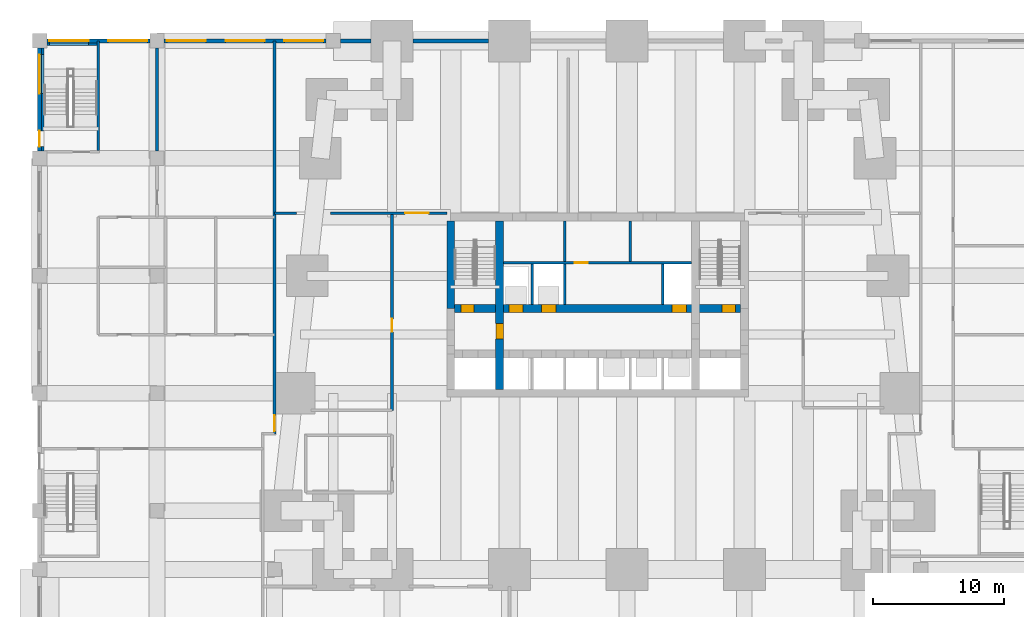
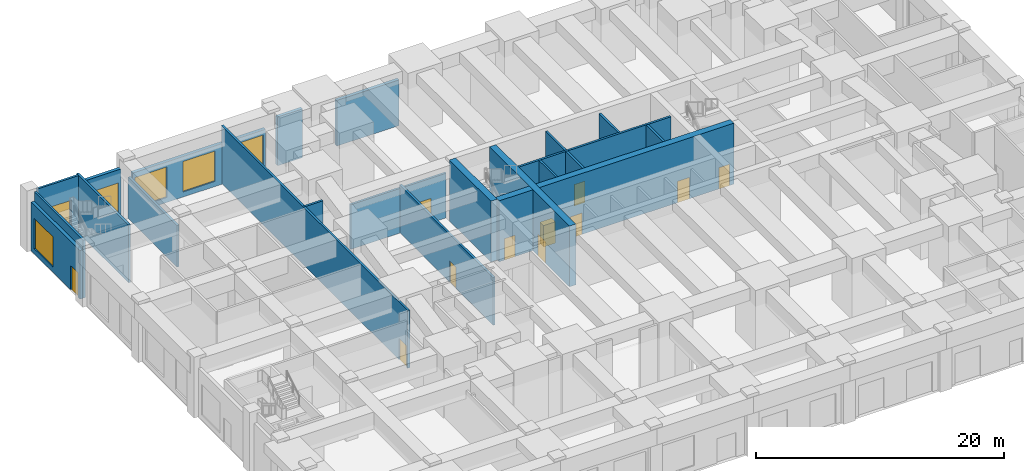
# One storey, part 5 of 13: 22 walls, 11 doors, 6 windows, 20 openings.
"""IFC4 building model written with IfcOpenShell, lengths in metres."""

import ifcopenshell
import ifcopenshell.guid

model = None  # the IFC model being written
_history = None  # IfcOwnerHistory: only IFC2X3 demands one
_inside = {}  # id of a spatial element -> (the spatial element, [elements in it])
_under = {}  # id of a project, library or spatial element -> (it, [spatial elements below it])
_declared = {}  # id of a project -> (the project, [libraries it declares])
_typed = {}  # id of a type object -> (the type object, [elements of that type])
_made_of = {}  # id of a material, layer set ... -> (it, [elements and type objects made of it])


def new_model(schema):
    """Start an empty IFC model of exactly this schema.

    Asked for "IFC4X3", IfcOpenShell would pick the latest addendum, in which some entities
    have other attributes; the version numbers below select the first issue.
    IFC2X3 requires an IfcOwnerHistory on every rooted entity: one is made here for all.
    """
    global model, _history
    if schema == "IFC4X3":
        model = ifcopenshell.file(schema_version=(4, 3, 0, 0))
    else:
        model = ifcopenshell.file(schema=schema)
    _inside.clear()
    _under.clear()
    _declared.clear()
    _typed.clear()
    _made_of.clear()
    _history = None
    if model.schema == "IFC2X3":
        org = make("IfcOrganization", Name="unknown")
        user = make(
            "IfcPersonAndOrganization",
            ThePerson=make("IfcPerson", FamilyName="unknown"),
            TheOrganization=org,
        )
        app = make(
            "IfcApplication",
            ApplicationDeveloper=org,
            Version="unknown",
            ApplicationFullName="unknown",
            ApplicationIdentifier="unknown",
        )
        _history = make(
            "IfcOwnerHistory",
            OwningUser=user,
            OwningApplication=app,
            ChangeAction="ADDED",
            CreationDate=0,
        )
    return model


def make(cls, **values):
    """One entity of the class cls with the attributes given. An attribute that is None is left unset."""
    return model.create_entity(
        cls, **{name: value for name, value in values.items() if value is not None}
    )


def rooted(cls, **values):
    """An entity with a GlobalId (a new one), such as an element, a storey or a relation."""
    return make(cls, GlobalId=ifcopenshell.guid.new(), OwnerHistory=_history, **values)


def si_unit(unit_type, name, prefix=None):
    """IfcSIUnit, for example si_unit("LENGTHUNIT", "METRE", prefix="MILLI")."""
    return make("IfcSIUnit", UnitType=unit_type, Prefix=prefix, Name=name)


def assignment(units):
    """IfcUnitAssignment: the units of a project."""
    return None if units is None else make("IfcUnitAssignment", Units=units)


def point(xyz):
    """IfcCartesianPoint."""
    return None if xyz is None else make("IfcCartesianPoint", Coordinates=xyz)


def direction(xyz):
    """IfcDirection."""
    return None if xyz is None else make("IfcDirection", DirectionRatios=xyz)


def frame(location, z_axis=None, x_axis=None):
    """IfcAxis2Placement3D, a coordinate frame: its origin and axes. An axis left out is left unset."""
    return make(
        "IfcAxis2Placement3D",
        Location=point(location),
        Axis=direction(z_axis),
        RefDirection=direction(x_axis),
    )


def frame_2d(location, x_axis=None):
    """IfcAxis2Placement2D, a coordinate frame in the plane: its origin and x axis."""
    return make(
        "IfcAxis2Placement2D", Location=point(location), RefDirection=direction(x_axis)
    )


def origin():
    """The frame at (0, 0, 0) with its axes left unset."""
    return frame((0.0, 0.0, 0.0))


def place(relative_to, where):
    """IfcLocalPlacement: puts the frame where relative to a parent placement (None: the world)."""
    return make(
        "IfcLocalPlacement", PlacementRelTo=relative_to, RelativePlacement=where
    )


def context(
    kind, dimensions, precision=None, world=None, true_north=None, identifier=None
):
    """IfcGeometricRepresentationContext, for example the 3D "Model" context."""
    return make(
        "IfcGeometricRepresentationContext",
        ContextIdentifier=identifier,
        ContextType=kind,
        CoordinateSpaceDimension=dimensions,
        Precision=precision,
        WorldCoordinateSystem=world,
        TrueNorth=true_north,
    )


def subcontext(parent, identifier, kind, view, scale=None):
    """IfcGeometricRepresentationSubContext, for example "Body" below "Model"."""
    return make(
        "IfcGeometricRepresentationSubContext",
        ContextIdentifier=identifier,
        ContextType=kind,
        ParentContext=parent,
        TargetScale=scale,
        TargetView=view,
    )


def project(units=None, contexts=None):
    """IfcProject with its units and contexts."""
    return rooted(
        "IfcProject",
        Name="project",
        RepresentationContexts=contexts,
        UnitsInContext=assignment(units),
    )


def spatial(cls, under=None, at=None, **own):
    """A site, building, storey or space (cls), placed at a placement, below another one or the project."""
    s = rooted(cls, ObjectPlacement=at, **own)
    if under is not None:
        _under.setdefault(under.id(), (under, []))[1].append(s)
    return s


def profile(cls, at=None, kind="AREA", **sizes):
    """A parametric profile (cls). Its sizes go by their IFC names, for example OverallWidth=200.0."""
    return make(cls, ProfileType=kind, Position=at, **sizes)


def rectangle(**sizes):
    """IfcRectangleProfileDef."""
    return profile("IfcRectangleProfileDef", **sizes)


def extrude(swept, where, along, depth):
    """IfcExtrudedAreaSolid: the profile swept, set in the frame where, extruded along a direction by depth."""
    return make(
        "IfcExtrudedAreaSolid",
        SweptArea=swept,
        Position=where,
        ExtrudedDirection=direction(along),
        Depth=depth,
    )


def shape(context_of_items, identifier, shape_type, items):
    """IfcShapeRepresentation: the items that make up one representation, for example the "Body"."""
    return make(
        "IfcShapeRepresentation",
        ContextOfItems=context_of_items,
        RepresentationIdentifier=identifier,
        RepresentationType=shape_type,
        Items=items,
    )


def material(Name=None, Category=None):
    """IfcMaterial."""
    return make("IfcMaterial", Name=Name, Category=Category)


def layer(
    of_material, thickness, ventilated=None, Name=None, Category=None, Priority=None
):
    """IfcMaterialLayer: one layer of a wall or slab, of a material (None: an air gap)."""
    return make(
        "IfcMaterialLayer",
        Material=of_material,
        LayerThickness=thickness,
        IsVentilated=ventilated,
        Name=Name,
        Category=Category,
        Priority=Priority,
    )


def layer_set(layers, Name=None):
    """IfcMaterialLayerSet."""
    return make("IfcMaterialLayerSet", MaterialLayers=layers, LayerSetName=Name)


def made_of(thing, what):
    """Note that an element or type object is made of a material, layer set ...; save() writes the relation."""
    if what is not None:
        _made_of.setdefault(what.id(), (what, []))[1].append(thing)
    return thing


def type_object(cls, material=None, **own):
    """A type object (cls), such as IfcWallType, which elements share."""
    return made_of(rooted(cls, **own), material)


def element(
    cls,
    number,
    at=None,
    inside=None,
    cuts=None,
    type_object=None,
    material=None,
    context=None,
    identifier="Body",
    shape_type=None,
    held_by="IfcProductDefinitionShape",
    body=None,
    shapes=None,
    **own,
):
    """One element of the class cls, such as IfcWall. Its Tag is "e" and its number.

    at: its placement. inside: the storey or other place that contains it. cuts: it is an
    opening in that element (IfcRelVoidsElement). A single representation is given by context,
    identifier, shape_type and body (its items); several are given by shapes. held_by: the class
    of the entity that holds the representations. save() writes the other relations.
    """
    e = rooted(cls, Tag="e%d" % number, ObjectPlacement=at, **own)
    if body is not None:
        shapes = [shape(context, identifier, shape_type, body)]
    if shapes is not None:
        e.Representation = make(held_by, Representations=shapes)
    if inside is not None:
        _inside.setdefault(inside.id(), (inside, []))[1].append(e)
    if cuts is not None:
        rooted(
            "IfcRelVoidsElement", RelatingBuildingElement=cuts, RelatedOpeningElement=e
        )
    if type_object is not None:
        _typed.setdefault(type_object.id(), (type_object, []))[1].append(e)
    return made_of(e, material)


def fill(opening, filler):
    """IfcRelFillsElement: the door or window that sits in an opening."""
    return rooted(
        "IfcRelFillsElement",
        RelatingOpeningElement=opening,
        RelatedBuildingElement=filler,
    )


def aggregate(whole, parts):
    """IfcRelAggregates: a whole, such as a stair, and the parts it consists of."""
    return rooted("IfcRelAggregates", RelatingObject=whole, RelatedObjects=parts)


def save(model, path):
    """Write the relations noted so far, then the file.

    IfcRelAggregates (storeys below a building ...), IfcRelContainedInSpatialStructure (elements
    in a storey), IfcRelDefinesByType, IfcRelAssociatesMaterial and IfcRelDeclares: one each for
    every whole, place, type object, material and project.
    """
    for whole, parts in _under.values():
        aggregate(whole, parts)
    for where, things in _inside.values():
        rooted(
            "IfcRelContainedInSpatialStructure",
            RelatedElements=things,
            RelatingStructure=where,
        )
    for kind, things in _typed.values():
        rooted("IfcRelDefinesByType", RelatedObjects=things, RelatingType=kind)
    for what, things in _made_of.values():
        rooted("IfcRelAssociatesMaterial", RelatedObjects=things, RelatingMaterial=what)
    for by, libraries in _declared.values():
        rooted("IfcRelDeclares", RelatingContext=by, RelatedDefinitions=libraries)
    model.write(path)


model = new_model("IFC4")

# Units and contexts
model_context = context("Model", 3, precision=1e-05, world=origin(), true_north=direction((0.0, 1.0)))
body_context = subcontext(model_context, "Body", "Model", "MODEL_VIEW")
ifc_project = project(units=[si_unit("LENGTHUNIT", "METRE"), si_unit("AREAUNIT", "SQUARE_METRE"), si_unit("VOLUMEUNIT", "CUBIC_METRE"), si_unit("PLANEANGLEUNIT", "RADIAN"), si_unit("MASSUNIT", "GRAM", prefix="KILO")], contexts=[model_context])

# Site, building, storey
site_placement = place(None, origin())
site = spatial("IfcSite", under=ifc_project, at=site_placement, CompositionType="ELEMENT")
building_placement = place(site_placement, origin())
building = spatial("IfcBuilding", under=site, at=building_placement, Name="Kilele Tower Hotel", CompositionType="ELEMENT")
storey_placement = place(building_placement, origin())
storey = spatial("IfcBuildingStorey", under=building, at=storey_placement, Name="L00", CompositionType="ELEMENT", Elevation=0.0)

# Wall, opening, door
ifc_material_1 = material(Name="Concrete C60/75", Category="concrete")
ifc_layer_1 = layer(ifc_material_1, 0.60009765625)
ifc_layer_set_1 = layer_set([ifc_layer_1], Name="Concrete C60/75")
wall_type_1 = type_object("IfcWallType", Name="Core wall 600 C60/75", PredefinedType="SHEAR", material=ifc_layer_set_1)
wall_1_placement = place(storey_placement, frame((17.25, 13.800048828125, 0.0), z_axis=(0.0, 0.0, 1.0), x_axis=(0.0, 1.0, 0.0)))
wall_1 = element("IfcWall", 1, at=wall_1_placement, inside=storey, type_object=wall_type_1, Name="Core wall IW L00", PredefinedType="SHEAR", context=body_context, shape_type="SweptSolid", body=[
    extrude(rectangle(XDim=12.89990234375, YDim=0.60009765625, at=frame_2d((6.449951171875, 0.0))), origin(), (0.0, 0.0, 1.0), 6.0),
])
opening_1_placement = place(wall_1_placement, frame((3.85009765625, 0.0, 0.0)))
opening_1 = element("IfcOpeningElement", 2, at=opening_1_placement, cuts=wall_1, Name="Opening D4", PredefinedType="OPENING", context=body_context, shape_type="SweptSolid", body=[
    extrude(rectangle(XDim=1.199951171875, YDim=2.10009765625, at=frame_2d((0.60009765625, 1.050048828125))), frame((0.0, 0.31005859375, 0.0), z_axis=(0.0, -1.0, 0.0), x_axis=(1.0, 0.0, 0.0)), (0.0, 0.0, 1.0), 0.6201171875),
])
ifc_material_2 = material(Name="Timber door leaf in hardwood frame", Category="wood")
door_type_1 = type_object("IfcDoorType", Name="Firefighting lobby door 1200", OperationType="SINGLE_SWING_LEFT", PredefinedType="DOOR", material=ifc_material_2)
door_1_placement = place(opening_1_placement, origin())
door_1 = element("IfcDoor", 3, at=door_1_placement, inside=storey, type_object=door_type_1, Name="Lobby door L00", OperationType="SINGLE_SWING_LEFT", OverallHeight=2.10009765625, OverallWidth=1.199951171875, PredefinedType="DOOR", context=body_context, shape_type="SweptSolid", body=[
    extrude(rectangle(XDim=1.199951171875, YDim=2.10009765625, at=frame_2d((0.60009765625, 1.050048828125))), frame((0.0, 0.2998046875, 0.0), z_axis=(0.0, -1.0, 0.0), x_axis=(1.0, 0.0, 0.0)), (0.0, 0.0, 1.0), 0.599609375),
])
fill(opening_1, door_1)

# Wall, openings, doors
wall_2_placement = place(storey_placement, frame((13.800048828125, 20.0, 0.0), z_axis=(0.0, 0.0, 1.0), x_axis=(1.0, 0.0, 0.0)))
wall_2 = element("IfcWall", 4, at=wall_2_placement, inside=storey, type_object=wall_type_1, Name="Core wall LN L00", PredefinedType="SHEAR", context=body_context, shape_type="SweptSolid", body=[
    extrude(rectangle(XDim=21.89990234375, YDim=0.60009765625, at=frame_2d((10.949951171875, 0.0))), origin(), (0.0, 0.0, 1.0), 6.0),
])
opening_2_placement = place(wall_2_placement, frame((0.5, 0.0, 0.0)))
opening_2 = element("IfcOpeningElement", 5, at=opening_2_placement, cuts=wall_2, Name="Opening D5", PredefinedType="OPENING", context=body_context, shape_type="SweptSolid", body=[
    extrude(rectangle(XDim=1.0, YDim=2.10009765625, at=frame_2d((0.5, 1.050048828125))), frame((0.0, 0.31005859375, 0.0), z_axis=(0.0, -1.0, 0.0), x_axis=(1.0, 0.0, 0.0)), (0.0, 0.0, 1.0), 0.6201171875),
])
opening_3_placement = place(wall_2_placement, frame((20.5, 0.0, 0.0)))
opening_3 = element("IfcOpeningElement", 6, at=opening_3_placement, cuts=wall_2, Name="Opening D5", PredefinedType="OPENING", context=body_context, shape_type="SweptSolid", body=[
    extrude(rectangle(XDim=1.0, YDim=2.10009765625, at=frame_2d((0.5, 1.050048828125))), frame((0.0, 0.31005859375, 0.0), z_axis=(0.0, -1.0, 0.0), x_axis=(1.0, 0.0, 0.0)), (0.0, 0.0, 1.0), 0.6201171875),
])
opening_4_placement = place(wall_2_placement, frame((4.14990234375, 0.0, 0.0)))
opening_4 = element("IfcOpeningElement", 7, at=opening_4_placement, cuts=wall_2, Name="Opening LD1", PredefinedType="OPENING", context=body_context, shape_type="SweptSolid", body=[
    extrude(rectangle(XDim=1.10009765625, YDim=2.10009765625, at=frame_2d((0.550048828125, 1.050048828125))), frame((0.0, 0.31005859375, 0.0), z_axis=(0.0, -1.0, 0.0), x_axis=(1.0, 0.0, 0.0)), (0.0, 0.0, 1.0), 0.6201171875),
])
opening_5_placement = place(wall_2_placement, frame((6.64990234375, 0.0, 0.0)))
opening_5 = element("IfcOpeningElement", 8, at=opening_5_placement, cuts=wall_2, Name="Opening LD1", PredefinedType="OPENING", context=body_context, shape_type="SweptSolid", body=[
    extrude(rectangle(XDim=1.10009765625, YDim=2.10009765625, at=frame_2d((0.550048828125, 1.050048828125))), frame((0.0, 0.31005859375, 0.0), z_axis=(0.0, -1.0, 0.0), x_axis=(1.0, 0.0, 0.0)), (0.0, 0.0, 1.0), 0.6201171875),
])
opening_6_placement = place(wall_2_placement, frame((16.64990234375, 0.0, 0.0)))
opening_6 = element("IfcOpeningElement", 9, at=opening_6_placement, cuts=wall_2, Name="Opening LD1", PredefinedType="OPENING", context=body_context, shape_type="SweptSolid", body=[
    extrude(rectangle(XDim=1.10009765625, YDim=2.10009765625, at=frame_2d((0.550048828125, 1.050048828125))), frame((0.0, 0.31005859375, 0.0), z_axis=(0.0, -1.0, 0.0), x_axis=(1.0, 0.0, 0.0)), (0.0, 0.0, 1.0), 0.6201171875),
])
ifc_material_3 = material(Name="Steel lift landing door", Category="steel")
door_type_2 = type_object("IfcDoorType", Name="Lift landing door 1100", OperationType="SLIDING_TO_LEFT", PredefinedType="DOOR", material=ifc_material_3)
door_2_placement = place(opening_4_placement, origin())
door_2 = element("IfcDoor", 10, at=door_2_placement, inside=storey, type_object=door_type_2, Name="Landing door S1 L00", OperationType="SLIDING_TO_LEFT", OverallHeight=2.10009765625, OverallWidth=1.10009765625, PredefinedType="DOOR", context=body_context, shape_type="SweptSolid", body=[
    extrude(rectangle(XDim=1.10009765625, YDim=2.10009765625, at=frame_2d((0.550048828125, 1.050048828125))), frame((0.0, 0.2998046875, 0.0), z_axis=(0.0, -1.0, 0.0), x_axis=(1.0, 0.0, 0.0)), (0.0, 0.0, 1.0), 0.599609375),
])
fill(opening_4, door_2)
door_3_placement = place(opening_5_placement, origin())
door_3 = element("IfcDoor", 11, at=door_3_placement, inside=storey, type_object=door_type_2, Name="Landing door S2 L00", OperationType="SLIDING_TO_LEFT", OverallHeight=2.10009765625, OverallWidth=1.10009765625, PredefinedType="DOOR", context=body_context, shape_type="SweptSolid", body=[
    extrude(rectangle(XDim=1.10009765625, YDim=2.10009765625, at=frame_2d((0.550048828125, 1.050048828125))), frame((0.0, 0.2998046875, 0.0), z_axis=(0.0, -1.0, 0.0), x_axis=(1.0, 0.0, 0.0)), (0.0, 0.0, 1.0), 0.599609375),
])
fill(opening_5, door_3)
door_4_placement = place(opening_6_placement, origin())
door_4 = element("IfcDoor", 12, at=door_4_placement, inside=storey, type_object=door_type_2, Name="Landing door G1 L00", OperationType="SLIDING_TO_LEFT", OverallHeight=2.10009765625, OverallWidth=1.10009765625, PredefinedType="DOOR", context=body_context, shape_type="SweptSolid", body=[
    extrude(rectangle(XDim=1.10009765625, YDim=2.10009765625, at=frame_2d((0.550048828125, 1.050048828125))), frame((0.0, 0.2998046875, 0.0), z_axis=(0.0, -1.0, 0.0), x_axis=(1.0, 0.0, 0.0)), (0.0, 0.0, 1.0), 0.599609375),
])
fill(opening_6, door_4)
ifc_material_4 = material(Name="Timber door leaf in hardwood frame", Category="wood")
door_type_3 = type_object("IfcDoorType", Name="Stair door 1000", OperationType="SINGLE_SWING_LEFT", PredefinedType="DOOR", material=ifc_material_4)
door_5_placement = place(opening_2_placement, origin())
door_5 = element("IfcDoor", 13, at=door_5_placement, inside=storey, type_object=door_type_3, Name="Stair 1 door L00", OperationType="SINGLE_SWING_LEFT", OverallHeight=2.10009765625, OverallWidth=1.0, PredefinedType="DOOR", context=body_context, shape_type="SweptSolid", body=[
    extrude(rectangle(XDim=1.0, YDim=2.10009765625, at=frame_2d((0.5, 1.050048828125))), frame((0.0, 0.2998046875, 0.0), z_axis=(0.0, -1.0, 0.0), x_axis=(1.0, 0.0, 0.0)), (0.0, 0.0, 1.0), 0.599609375),
])
fill(opening_2, door_5)
door_6_placement = place(opening_3_placement, origin())
door_6 = element("IfcDoor", 14, at=door_6_placement, inside=storey, type_object=door_type_3, Name="Stair 2 door L00", OperationType="SINGLE_SWING_RIGHT", OverallHeight=2.10009765625, OverallWidth=1.0, PredefinedType="DOOR", context=body_context, shape_type="SweptSolid", body=[
    extrude(rectangle(XDim=1.0, YDim=2.10009765625, at=frame_2d((0.5, 1.050048828125))), frame((0.0, 0.2998046875, 0.0), z_axis=(0.0, -1.0, 0.0), x_axis=(1.0, 0.0, 0.0)), (0.0, 0.0, 1.0), 0.599609375),
])
fill(opening_3, door_6)

# Wall
wall_3_placement = place(storey_placement, frame((13.5, 26.699951171875, 0.0), z_axis=(0.0, 0.0, 1.0), x_axis=(0.0, -1.0, 0.0)))
element("IfcWall", 15, at=wall_3_placement, inside=storey, type_object=wall_type_1, Name="Core wall W1 L00", PredefinedType="SHEAR", context=body_context, shape_type="SweptSolid", body=[
    extrude(rectangle(XDim=6.699951171875, YDim=0.60009765625, at=frame_2d((3.35009765625, 0.0))), origin(), (0.0, 0.0, 1.0), 6.0),
])

# Wall, opening, door
ifc_material_5 = material(Name="Blockwork, plastered both sides", Category="masonry")
ifc_layer_2 = layer(ifc_material_5, 0.199951171875)
ifc_layer_set_2 = layer_set([ifc_layer_2], Name="Blockwork, plastered both sides")
wall_type_2 = type_object("IfcWallType", Name="Partition wall 200", PredefinedType="PARTITIONING", material=ifc_layer_set_2)
wall_4_placement = place(storey_placement, frame((0.0, 10.39990234375, 0.0), z_axis=(0.0, 0.0, 1.0), x_axis=(0.0, 1.0, 0.0)))
wall_4 = element("IfcWall", 16, at=wall_4_placement, inside=storey, type_object=wall_type_2, Name="Partition wall 200 L00", PredefinedType="PARTITIONING", context=body_context, shape_type="SweptSolid", body=[
    extrude(rectangle(XDim=30.10009765625, YDim=0.199951171875, at=frame_2d((15.050048828125, 0.0))), origin(), (0.0, 0.0, 1.0), 5.699951171875),
])
opening_7_placement = place(wall_4_placement, frame((0.199951171875, 0.0, 0.0)))
opening_7 = element("IfcOpeningElement", 17, at=opening_7_placement, cuts=wall_4, Name="Opening D8A", PredefinedType="OPENING", context=body_context, shape_type="SweptSolid", body=[
    extrude(rectangle(XDim=1.199951171875, YDim=2.10009765625, at=frame_2d((0.60009765625, 1.050048828125))), frame((0.0, 0.10986328125, 0.0), z_axis=(0.0, -1.0, 0.0), x_axis=(1.0, 0.0, 0.0)), (0.0, 0.0, 1.0), 0.219970703125),
])
ifc_material_6 = material(Name="Timber door leaf in hardwood frame", Category="wood")
door_type_4 = type_object("IfcDoorType", Name="Door 1200", OperationType="SINGLE_SWING_LEFT", PredefinedType="DOOR", material=ifc_material_6)
door_7_placement = place(opening_7_placement, origin())
door_7 = element("IfcDoor", 18, at=door_7_placement, inside=storey, type_object=door_type_4, Name="Door conference hall", OperationType="SINGLE_SWING_LEFT", OverallHeight=2.10009765625, OverallWidth=1.199951171875, PredefinedType="DOOR", context=body_context, shape_type="SweptSolid", body=[
    extrude(rectangle(XDim=1.199951171875, YDim=2.10009765625, at=frame_2d((0.60009765625, 1.050048828125))), frame((0.0, 0.02490234375, 0.0), z_axis=(0.0, -1.0, 0.0), x_axis=(1.0, 0.0, 0.0)), (0.0, 0.0, 1.0), 0.050048828125),
])
fill(opening_7, door_7)

# Wall
wall_5_placement = place(storey_placement, frame((-9.0, 32.050048828125, 0.0), z_axis=(0.0, 0.0, 1.0), x_axis=(0.0, 1.0, 0.0)))
element("IfcWall", 19, at=wall_5_placement, inside=storey, type_object=wall_type_2, Name="Partition wall 200 L00", PredefinedType="PARTITIONING", context=body_context, shape_type="SweptSolid", body=[
    extrude(rectangle(XDim=7.89990234375, YDim=0.199951171875, at=frame_2d((3.949951171875, 0.0))), origin(), (0.0, 0.0, 1.0), 4.10009765625),
])

# Wall, opening, door
wall_6_placement = place(storey_placement, frame((9.0, 12.199951171875, 0.0), z_axis=(0.0, 0.0, 1.0), x_axis=(0.0, 1.0, 0.0)))
wall_6 = element("IfcWall", 20, at=wall_6_placement, inside=storey, type_object=wall_type_2, Name="Partition wall 200 L00", PredefinedType="PARTITIONING", context=body_context, shape_type="SweptSolid", body=[
    extrude(rectangle(XDim=15.10009765625, YDim=0.199951171875, at=frame_2d((7.550048828125, 0.0))), origin(), (0.0, 0.0, 1.0), 4.699951171875),
])
opening_8_placement = place(wall_6_placement, frame((6.0, 0.0, 0.0)))
opening_8 = element("IfcOpeningElement", 21, at=opening_8_placement, cuts=wall_6, Name="Opening D8", PredefinedType="OPENING", context=body_context, shape_type="SweptSolid", body=[
    extrude(rectangle(XDim=1.0, YDim=2.10009765625, at=frame_2d((0.5, 1.050048828125))), frame((0.0, 0.10986328125, 0.0), z_axis=(0.0, -1.0, 0.0), x_axis=(1.0, 0.0, 0.0)), (0.0, 0.0, 1.0), 0.219970703125),
])
ifc_material_7 = material(Name="Timber door leaf in hardwood frame", Category="wood")
door_type_5 = type_object("IfcDoorType", Name="Door 1000", OperationType="SINGLE_SWING_LEFT", PredefinedType="DOOR", material=ifc_material_7)
door_8_placement = place(opening_8_placement, origin())
door_8 = element("IfcDoor", 22, at=door_8_placement, inside=storey, type_object=door_type_5, Name="Door guest relations", OperationType="SINGLE_SWING_LEFT", OverallHeight=2.10009765625, OverallWidth=1.0, PredefinedType="DOOR", context=body_context, shape_type="SweptSolid", body=[
    extrude(rectangle(XDim=1.0, YDim=2.10009765625, at=frame_2d((0.5, 1.050048828125))), frame((0.0, 0.02490234375, 0.0), z_axis=(0.0, -1.0, 0.0), x_axis=(1.0, 0.0, 0.0)), (0.0, 0.0, 1.0), 0.050048828125),
])
fill(opening_8, door_8)

# Wall
wall_7_placement = place(storey_placement, frame((0.0, 27.300048828125, 0.0), z_axis=(0.0, 0.0, 1.0), x_axis=(1.0, 0.0, 0.0)))
element("IfcWall", 23, at=wall_7_placement, inside=storey, type_object=wall_type_2, Name="Partition wall 200 L00", PredefinedType="PARTITIONING", context=body_context, shape_type="SweptSolid", body=[
    extrude(rectangle(XDim=1.699951171875, YDim=0.199951171875, at=frame_2d((0.85009765625, 0.0))), origin(), (0.0, 0.0, 1.0), 5.699951171875),
])

# Wall, opening, door
wall_8_placement = place(storey_placement, frame((4.300048828125, 27.300048828125, 0.0), z_axis=(0.0, 0.0, 1.0), x_axis=(1.0, 0.0, 0.0)))
wall_8 = element("IfcWall", 24, at=wall_8_placement, inside=storey, type_object=wall_type_2, Name="Partition wall 200 L00", PredefinedType="PARTITIONING", context=body_context, shape_type="SweptSolid", body=[
    extrude(rectangle(XDim=8.89990234375, YDim=0.199951171875, at=frame_2d((4.449951171875, 0.0))), origin(), (0.0, 0.0, 1.0), 4.39990234375),
])
opening_9_placement = place(wall_8_placement, frame((7.5, 0.0, 0.0), z_axis=(0.0, 0.0, 1.0), x_axis=(-1.0, 0.0, 0.0)))
opening_9 = element("IfcOpeningElement", 25, at=opening_9_placement, cuts=wall_8, Name="Opening D9", PredefinedType="OPENING", context=body_context, shape_type="SweptSolid", body=[
    extrude(rectangle(XDim=1.800048828125, YDim=2.39990234375, at=frame_2d((0.89990234375, 1.199951171875))), frame((0.0, 0.10986328125, 0.0), z_axis=(0.0, -1.0, 0.0), x_axis=(1.0, 0.0, 0.0)), (0.0, 0.0, 1.0), 0.219970703125),
])
ifc_material_8 = material(Name="Timber door leaf in hardwood frame", Category="wood")
door_type_6 = type_object("IfcDoorType", Name="Double door 1800", OperationType="DOUBLE_DOOR_SINGLE_SWING", PredefinedType="DOOR", material=ifc_material_8)
door_9_placement = place(opening_9_placement, origin())
door_9 = element("IfcDoor", 26, at=door_9_placement, inside=storey, type_object=door_type_6, Name="Door cafe", OperationType="DOUBLE_DOOR_SINGLE_SWING", OverallHeight=2.39990234375, OverallWidth=1.800048828125, PredefinedType="DOOR", context=body_context, shape_type="SweptSolid", body=[
    extrude(rectangle(XDim=1.800048828125, YDim=2.39990234375, at=frame_2d((0.89990234375, 1.199951171875))), frame((0.0, 0.02490234375, 0.0), z_axis=(0.0, -1.0, 0.0), x_axis=(1.0, 0.0, 0.0)), (0.0, 0.0, 1.0), 0.050048828125),
])
fill(opening_9, door_9)

# Walls
ifc_material_9 = material(Name="Concrete C40/50 precast", Category="concrete")
ifc_layer_3 = layer(ifc_material_9, 0.260009765625, Name="Precast backing", Category="LoadBearing")
ifc_material_10 = material(Name="Reconstituted stone finish", Category="masonry")
ifc_layer_4 = layer(ifc_material_10, 0.0400390625, Name="Face mix", Category="Finish")
ifc_layer_set_3 = layer_set([ifc_layer_3, ifc_layer_4], Name="Precast concrete C40/50, reconstituted stone finish")
wall_type_3 = type_object("IfcWallType", Name="Precast stone facade wall 300", PredefinedType="STANDARD", material=ifc_layer_set_3)
wall_9_placement = place(storey_placement, frame((16.39990234375, 40.5, 0.0), z_axis=(0.0, 0.0, 1.0), x_axis=(-1.0, 0.0, 0.0)))
element("IfcWall", 27, at=wall_9_placement, inside=storey, type_object=wall_type_3, Name="Podium wall L00 N", PredefinedType="STANDARD", context=body_context, shape_type="SweptSolid", body=[
    extrude(rectangle(XDim=5.7998046875, YDim=0.300048828125, at=frame_2d((2.89990234375, 0.0))), origin(), (0.0, 0.0, 1.0), 4.5),
])
wall_10_placement = place(storey_placement, frame((7.39990234375, 40.5, 0.0), z_axis=(0.0, 0.0, 1.0), x_axis=(-1.0, 0.0, 0.0)))
element("IfcWall", 28, at=wall_10_placement, inside=storey, type_object=wall_type_3, Name="Podium wall L00 N", PredefinedType="STANDARD", context=body_context, shape_type="SweptSolid", body=[
    extrude(rectangle(XDim=2.349853515625, YDim=0.300048828125, at=frame_2d((1.1748046875, 0.0))), origin(), (0.0, 0.0, 1.0), 4.800048828125),
])

# Wall, openings, windows
wall_11_placement = place(storey_placement, frame((3.949951171875, 40.5, 0.0), z_axis=(0.0, 0.0, 1.0), x_axis=(-1.0, 0.0, 0.0)))
wall_11 = element("IfcWall", 29, at=wall_11_placement, inside=storey, type_object=wall_type_3, Name="Podium wall L00 N", PredefinedType="STANDARD", context=body_context, shape_type="SweptSolid", body=[
    extrude(rectangle(XDim=12.39990234375, YDim=0.300048828125, at=frame_2d((6.199951171875, 0.0))), origin(), (0.0, 0.0, 1.0), 4.0),
])
opening_10_placement = place(wall_11_placement, frame((0.199951171875, 0.0, 0.5)))
opening_10 = element("IfcOpeningElement", 30, at=opening_10_placement, cuts=wall_11, Name="Opening W5", PredefinedType="OPENING", context=body_context, shape_type="SweptSolid", body=[
    extrude(rectangle(XDim=3.0, YDim=3.0, at=frame_2d((1.5, 1.5))), frame((0.0, 0.159912109375, 0.0), z_axis=(0.0, -1.0, 0.0), x_axis=(1.0, 0.0, 0.0)), (0.0, 0.0, 1.0), 0.320068359375),
])
opening_11_placement = place(wall_11_placement, frame((4.699951171875, 0.0, 0.5)))
opening_11 = element("IfcOpeningElement", 31, at=opening_11_placement, cuts=wall_11, Name="Opening W5", PredefinedType="OPENING", context=body_context, shape_type="SweptSolid", body=[
    extrude(rectangle(XDim=3.0, YDim=3.0, at=frame_2d((1.5, 1.5))), frame((0.0, 0.159912109375, 0.0), z_axis=(0.0, -1.0, 0.0), x_axis=(1.0, 0.0, 0.0)), (0.0, 0.0, 1.0), 0.320068359375),
])
opening_12_placement = place(wall_11_placement, frame((9.199951171875, 0.0, 0.5)))
opening_12 = element("IfcOpeningElement", 32, at=opening_12_placement, cuts=wall_11, Name="Opening W5", PredefinedType="OPENING", context=body_context, shape_type="SweptSolid", body=[
    extrude(rectangle(XDim=3.0, YDim=3.0, at=frame_2d((1.5, 1.5))), frame((0.0, 0.159912109375, 0.0), z_axis=(0.0, -1.0, 0.0), x_axis=(1.0, 0.0, 0.0)), (0.0, 0.0, 1.0), 0.320068359375),
])
ifc_material_11 = material(Name="Aluminium frame, clear double glazing", Category="aluminium")
window_type = type_object("IfcWindowType", Name="Window W5 3000 x 3000", PartitioningType="SINGLE_PANEL", PredefinedType="WINDOW", material=ifc_material_11)
window_1_placement = place(opening_10_placement, origin())
window_1 = element("IfcWindow", 33, at=window_1_placement, inside=storey, type_object=window_type, Name="Shopfront window L00", OverallHeight=3.0, OverallWidth=3.0, PartitioningType="SINGLE_PANEL", PredefinedType="WINDOW", context=body_context, shape_type="SweptSolid", body=[
    extrude(rectangle(XDim=3.0, YDim=3.0, at=frame_2d((1.5, 1.5))), frame((0.0, 0.030029296875, 0.0), z_axis=(0.0, -1.0, 0.0), x_axis=(1.0, 0.0, 0.0)), (0.0, 0.0, 1.0), 0.06005859375),
])
fill(opening_10, window_1)
window_2_placement = place(opening_11_placement, origin())
window_2 = element("IfcWindow", 34, at=window_2_placement, inside=storey, type_object=window_type, Name="Shopfront window L00", OverallHeight=3.0, OverallWidth=3.0, PartitioningType="SINGLE_PANEL", PredefinedType="WINDOW", context=body_context, shape_type="SweptSolid", body=[
    extrude(rectangle(XDim=3.0, YDim=3.0, at=frame_2d((1.5, 1.5))), frame((0.0, 0.030029296875, 0.0), z_axis=(0.0, -1.0, 0.0), x_axis=(1.0, 0.0, 0.0)), (0.0, 0.0, 1.0), 0.06005859375),
])
fill(opening_11, window_2)
window_3_placement = place(opening_12_placement, origin())
window_3 = element("IfcWindow", 35, at=window_3_placement, inside=storey, type_object=window_type, Name="Shopfront window L00", OverallHeight=3.0, OverallWidth=3.0, PartitioningType="SINGLE_PANEL", PredefinedType="WINDOW", context=body_context, shape_type="SweptSolid", body=[
    extrude(rectangle(XDim=3.0, YDim=3.0, at=frame_2d((1.5, 1.5))), frame((0.0, 0.030029296875, 0.0), z_axis=(0.0, -1.0, 0.0), x_axis=(1.0, 0.0, 0.0)), (0.0, 0.0, 1.0), 0.06005859375),
])
fill(opening_12, window_3)

wall_12_placement = place(storey_placement, frame((-9.550048828125, 40.5, 0.0), z_axis=(0.0, 0.0, 1.0), x_axis=(-1.0, 0.0, 0.0)))
wall_12 = element("IfcWall", 36, at=wall_12_placement, inside=storey, type_object=wall_type_3, Name="Podium wall L00 N", PredefinedType="STANDARD", context=body_context, shape_type="SweptSolid", body=[
    extrude(rectangle(XDim=7.89990234375, YDim=0.300048828125, at=frame_2d((3.949951171875, 0.0))), origin(), (0.0, 0.0, 1.0), 4.800048828125),
])
opening_13_placement = place(wall_12_placement, frame((0.199951171875, 0.0, 0.5)))
opening_13 = element("IfcOpeningElement", 37, at=opening_13_placement, cuts=wall_12, Name="Opening W5", PredefinedType="OPENING", context=body_context, shape_type="SweptSolid", body=[
    extrude(rectangle(XDim=3.0, YDim=3.0, at=frame_2d((1.5, 1.5))), frame((0.0, 0.159912109375, 0.0), z_axis=(0.0, -1.0, 0.0), x_axis=(1.0, 0.0, 0.0)), (0.0, 0.0, 1.0), 0.320068359375),
])
opening_14_placement = place(wall_12_placement, frame((4.699951171875, 0.0, 0.5)))
opening_14 = element("IfcOpeningElement", 38, at=opening_14_placement, cuts=wall_12, Name="Opening W5", PredefinedType="OPENING", context=body_context, shape_type="SweptSolid", body=[
    extrude(rectangle(XDim=3.0, YDim=3.0, at=frame_2d((1.5, 1.5))), frame((0.0, 0.159912109375, 0.0), z_axis=(0.0, -1.0, 0.0), x_axis=(1.0, 0.0, 0.0)), (0.0, 0.0, 1.0), 0.320068359375),
])
window_4_placement = place(opening_13_placement, origin())
window_4 = element("IfcWindow", 39, at=window_4_placement, inside=storey, type_object=window_type, Name="Shopfront window L00", OverallHeight=3.0, OverallWidth=3.0, PartitioningType="SINGLE_PANEL", PredefinedType="WINDOW", context=body_context, shape_type="SweptSolid", body=[
    extrude(rectangle(XDim=3.0, YDim=3.0, at=frame_2d((1.5, 1.5))), frame((0.0, 0.030029296875, 0.0), z_axis=(0.0, -1.0, 0.0), x_axis=(1.0, 0.0, 0.0)), (0.0, 0.0, 1.0), 0.06005859375),
])
fill(opening_13, window_4)
window_5_placement = place(opening_14_placement, origin())
window_5 = element("IfcWindow", 40, at=window_5_placement, inside=storey, type_object=window_type, Name="Shopfront window L00", OverallHeight=3.0, OverallWidth=3.0, PartitioningType="SINGLE_PANEL", PredefinedType="WINDOW", context=body_context, shape_type="SweptSolid", body=[
    extrude(rectangle(XDim=3.0, YDim=3.0, at=frame_2d((1.5, 1.5))), frame((0.0, 0.030029296875, 0.0), z_axis=(0.0, -1.0, 0.0), x_axis=(1.0, 0.0, 0.0)), (0.0, 0.0, 1.0), 0.06005859375),
])
fill(opening_14, window_5)

# Wall, openings, door, window
wall_13_placement = place(storey_placement, frame((-18.0, 39.949951171875, 0.0), z_axis=(0.0, 0.0, 1.0), x_axis=(0.0, -1.0, 0.0)))
wall_13 = element("IfcWall", 41, at=wall_13_placement, inside=storey, type_object=wall_type_3, Name="Podium wall L00 W", PredefinedType="STANDARD", context=body_context, shape_type="SweptSolid", body=[
    extrude(rectangle(XDim=7.89990234375, YDim=0.300048828125, at=frame_2d((3.949951171875, 0.0))), origin(), (0.0, 0.0, 1.0), 4.800048828125),
])
opening_15_placement = place(wall_13_placement, frame((7.550048828125, 0.0, 0.0), z_axis=(0.0, 0.0, 1.0), x_axis=(-1.0, 0.0, 0.0)))
opening_15 = element("IfcOpeningElement", 42, at=opening_15_placement, cuts=wall_13, Name="Opening ED2", PredefinedType="OPENING", context=body_context, shape_type="SweptSolid", body=[
    extrude(rectangle(XDim=1.199951171875, YDim=2.39990234375, at=frame_2d((0.60009765625, 1.199951171875))), frame((0.0, 0.159912109375, 0.0), z_axis=(0.0, -1.0, 0.0), x_axis=(1.0, 0.0, 0.0)), (0.0, 0.0, 1.0), 0.320068359375),
])
opening_16_placement = place(wall_13_placement, frame((0.5, 0.0, 0.5)))
opening_16 = element("IfcOpeningElement", 43, at=opening_16_placement, cuts=wall_13, Name="Opening W5", PredefinedType="OPENING", context=body_context, shape_type="SweptSolid", body=[
    extrude(rectangle(XDim=3.0, YDim=3.0, at=frame_2d((1.5, 1.5))), frame((0.0, 0.159912109375, 0.0), z_axis=(0.0, -1.0, 0.0), x_axis=(1.0, 0.0, 0.0)), (0.0, 0.0, 1.0), 0.320068359375),
])
ifc_material_12 = material(Name="Aluminium frame, clear glazing", Category="aluminium")
door_type_7 = type_object("IfcDoorType", Name="Exit door 1200", OperationType="SINGLE_SWING_LEFT", PredefinedType="DOOR", material=ifc_material_12)
door_10_placement = place(opening_15_placement, origin())
door_10 = element("IfcDoor", 44, at=door_10_placement, inside=storey, type_object=door_type_7, Name="Exit door", OperationType="SINGLE_SWING_LEFT", OverallHeight=2.39990234375, OverallWidth=1.199951171875, PredefinedType="DOOR", context=body_context, shape_type="SweptSolid", body=[
    extrude(rectangle(XDim=1.199951171875, YDim=2.39990234375, at=frame_2d((0.60009765625, 1.199951171875))), frame((0.0, 0.02490234375, 0.0), z_axis=(0.0, -1.0, 0.0), x_axis=(1.0, 0.0, 0.0)), (0.0, 0.0, 1.0), 0.050048828125),
])
fill(opening_15, door_10)
window_6_placement = place(opening_16_placement, origin())
window_6 = element("IfcWindow", 45, at=window_6_placement, inside=storey, type_object=window_type, Name="Shopfront window L00", OverallHeight=3.0, OverallWidth=3.0, PartitioningType="SINGLE_PANEL", PredefinedType="WINDOW", context=body_context, shape_type="SweptSolid", body=[
    extrude(rectangle(XDim=3.0, YDim=3.0, at=frame_2d((1.5, 1.5))), frame((0.0, 0.030029296875, 0.0), z_axis=(0.0, -1.0, 0.0), x_axis=(1.0, 0.0, 0.0)), (0.0, 0.0, 1.0), 0.06005859375),
])
fill(opening_16, window_6)

# Walls
ifc_material_13 = material(Name="Blockwork, fire-rated", Category="masonry")
ifc_layer_5 = layer(ifc_material_13, 0.199951171875)
ifc_layer_set_4 = layer_set([ifc_layer_5], Name="Blockwork, fire-rated")
wall_type_4 = type_object("IfcWallType", Name="Shaft wall 200", PredefinedType="PARTITIONING", material=ifc_layer_set_4)
for number, where, z_axis, x_axis, name in (
    (46, (19.75, 20.300048828125, 0.0), (0.0, 0.0, 1.0), (0.0, 1.0, 0.0), "Shaft wall 200 L00"),
    (47, (22.25, 20.300048828125, 0.0), (0.0, 0.0, 1.0), (0.0, 1.0, 0.0), "Shaft wall 200 L00"),
    (48, (29.75, 20.300048828125, 0.0), (0.0, 0.0, 1.0), (0.0, 1.0, 0.0), "Shaft wall 200 L00"),
):
    element("IfcWall", number, at=place(storey_placement, frame(where, z_axis=z_axis, x_axis=x_axis)), inside=storey, type_object=wall_type_4, Name=name, PredefinedType="PARTITIONING", context=body_context, shape_type="SweptSolid", body=[
        extrude(rectangle(XDim=3.099853515625, YDim=0.199951171875, at=frame_2d((1.5498046875, 0.0))), origin(), (0.0, 0.0, 1.0), 5.699951171875),
    ])

# Wall, opening, door
wall_14_placement = place(storey_placement, frame((17.550048828125, 23.5, 0.0), z_axis=(0.0, 0.0, 1.0), x_axis=(1.0, 0.0, 0.0)))
wall_14 = element("IfcWall", 49, at=wall_14_placement, inside=storey, type_object=wall_type_4, Name="Shaft wall 200 L00", PredefinedType="PARTITIONING", context=body_context, shape_type="SweptSolid", body=[
    extrude(rectangle(XDim=14.39990234375, YDim=0.199951171875, at=frame_2d((7.199951171875, 0.0))), origin(), (0.0, 0.0, 1.0), 5.699951171875),
])
opening_17_placement = place(wall_14_placement, frame((5.449951171875, 0.0, 0.0)))
opening_17 = element("IfcOpeningElement", 50, at=opening_17_placement, cuts=wall_14, Name="Opening D11", PredefinedType="OPENING", context=body_context, shape_type="SweptSolid", body=[
    extrude(rectangle(XDim=1.0, YDim=2.10009765625, at=frame_2d((0.5, 1.050048828125))), frame((0.0, 0.10986328125, 0.0), z_axis=(0.0, -1.0, 0.0), x_axis=(1.0, 0.0, 0.0)), (0.0, 0.0, 1.0), 0.219970703125),
])
ifc_material_14 = material(Name="Timber door leaf in hardwood frame", Category="wood")
door_type_8 = type_object("IfcDoorType", Name="Core store door 1000", OperationType="SINGLE_SWING_LEFT", PredefinedType="DOOR", material=ifc_material_14)
door_11_placement = place(opening_17_placement, origin())
door_11 = element("IfcDoor", 51, at=door_11_placement, inside=storey, type_object=door_type_8, Name="Core room door H1", OperationType="SINGLE_SWING_LEFT", OverallHeight=2.10009765625, OverallWidth=1.0, PredefinedType="DOOR", context=body_context, shape_type="SweptSolid", body=[
    extrude(rectangle(XDim=1.0, YDim=2.10009765625, at=frame_2d((0.5, 1.050048828125))), frame((0.0, 0.02490234375, 0.0), z_axis=(0.0, -1.0, 0.0), x_axis=(1.0, 0.0, 0.0)), (0.0, 0.0, 1.0), 0.050048828125),
])
fill(opening_17, door_11)

# Walls
for number, where, z_axis, x_axis, name in (
    (52, (22.25, 23.60009765625, 0.0), (0.0, 0.0, 1.0), (0.0, 1.0, 0.0), "Shaft wall 200 L00"),
    (53, (27.25, 23.60009765625, 0.0), (0.0, 0.0, 1.0), (0.0, 1.0, 0.0), "Shaft wall 200 L00"),
):
    element("IfcWall", number, at=place(storey_placement, frame(where, z_axis=z_axis, x_axis=x_axis)), inside=storey, type_object=wall_type_4, Name=name, PredefinedType="PARTITIONING", context=body_context, shape_type="SweptSolid", body=[
        extrude(rectangle(XDim=3.099853515625, YDim=0.199951171875, at=frame_2d((1.5498046875, 0.0))), origin(), (0.0, 0.0, 1.0), 5.699951171875),
    ])
ifc_material_15 = material(Name="Concrete C40/50", Category="concrete")
ifc_layer_6 = layer(ifc_material_15, 0.199951171875)
ifc_layer_set_5 = layer_set([ifc_layer_6], Name="Concrete C40/50")
wall_type_5 = type_object("IfcWallType", Name="Stair wall RC 200 C40/50", PredefinedType="SOLIDWALL", material=ifc_layer_set_5)
wall_15_placement = place(storey_placement, frame((-13.5, 32.10009765625, 0.0), z_axis=(0.0, 0.0, 1.0), x_axis=(0.0, 1.0, 0.0)))
element("IfcWall", 54, at=wall_15_placement, inside=storey, type_object=wall_type_5, Name="Stair wall RC 200 C40/50 L00", PredefinedType="SOLIDWALL", context=body_context, shape_type="SweptSolid", body=[
    extrude(rectangle(XDim=8.39990234375, YDim=0.199951171875, at=frame_2d((4.199951171875, 0.0))), origin(), (0.0, 0.0, 1.0), 5.699951171875),
])

# Wall, openings
wall_16_placement = place(storey_placement, frame((-17.75, 32.050048828125, 0.0), z_axis=(0.0, 0.0, 1.0), x_axis=(0.0, 1.0, 0.0)))
wall_16 = element("IfcWall", 55, at=wall_16_placement, inside=storey, type_object=wall_type_5, Name="Stair wall RC 200 C40/50 L00", PredefinedType="SOLIDWALL", context=body_context, shape_type="SweptSolid", body=[
    extrude(rectangle(XDim=7.89990234375, YDim=0.199951171875, at=frame_2d((3.949951171875, 0.0))), origin(), (0.0, 0.0, 1.0), 5.699951171875),
])
opening_18_placement = place(wall_16_placement, frame((0.35009765625, 0.0, 0.0)))
element("IfcOpeningElement", 56, at=opening_18_placement, cuts=wall_16, Name="Opening SE2 1", PredefinedType="OPENING", context=body_context, shape_type="SweptSolid", body=[
    extrude(rectangle(XDim=1.199951171875, YDim=2.39990234375, at=frame_2d((0.60009765625, 1.199951171875))), frame((0.0, 0.10986328125, 0.0), z_axis=(0.0, -1.0, 0.0), x_axis=(1.0, 0.0, 0.0)), (0.0, 0.0, 1.0), 0.219970703125),
])
opening_19_placement = place(wall_16_placement, frame((4.39990234375, 0.0, 0.5)))
element("IfcOpeningElement", 57, at=opening_19_placement, cuts=wall_16, Name="Opening SE2 2", PredefinedType="OPENING", context=body_context, shape_type="SweptSolid", body=[
    extrude(rectangle(XDim=3.0, YDim=3.0, at=frame_2d((1.5, 1.5))), frame((0.0, 0.10986328125, 0.0), z_axis=(0.0, -1.0, 0.0), x_axis=(1.0, 0.0, 0.0)), (0.0, 0.0, 1.0), 0.219970703125),
])

# Wall, opening
wall_17_placement = place(storey_placement, frame((-17.449951171875, 40.25, 0.0), z_axis=(0.0, 0.0, 1.0), x_axis=(1.0, 0.0, 0.0)))
wall_17 = element("IfcWall", 58, at=wall_17_placement, inside=storey, type_object=wall_type_5, Name="Stair wall RC 200 C40/50 L00", PredefinedType="SOLIDWALL", context=body_context, shape_type="SweptSolid", body=[
    extrude(rectangle(XDim=3.849853515625, YDim=0.199951171875, at=frame_2d((1.9248046875, 0.0))), origin(), (0.0, 0.0, 1.0), 5.699951171875),
])
opening_20_placement = place(wall_17_placement, frame((0.199951171875, 0.0, 0.5)))
element("IfcOpeningElement", 59, at=opening_20_placement, cuts=wall_17, Name="Opening SE2 1", PredefinedType="OPENING", context=body_context, shape_type="SweptSolid", body=[
    extrude(rectangle(XDim=3.0, YDim=3.0, at=frame_2d((1.5, 1.5))), frame((0.0, 0.10986328125, 0.0), z_axis=(0.0, -1.0, 0.0), x_axis=(1.0, 0.0, 0.0)), (0.0, 0.0, 1.0), 0.219970703125),
])

save(model, "model.ifc")
